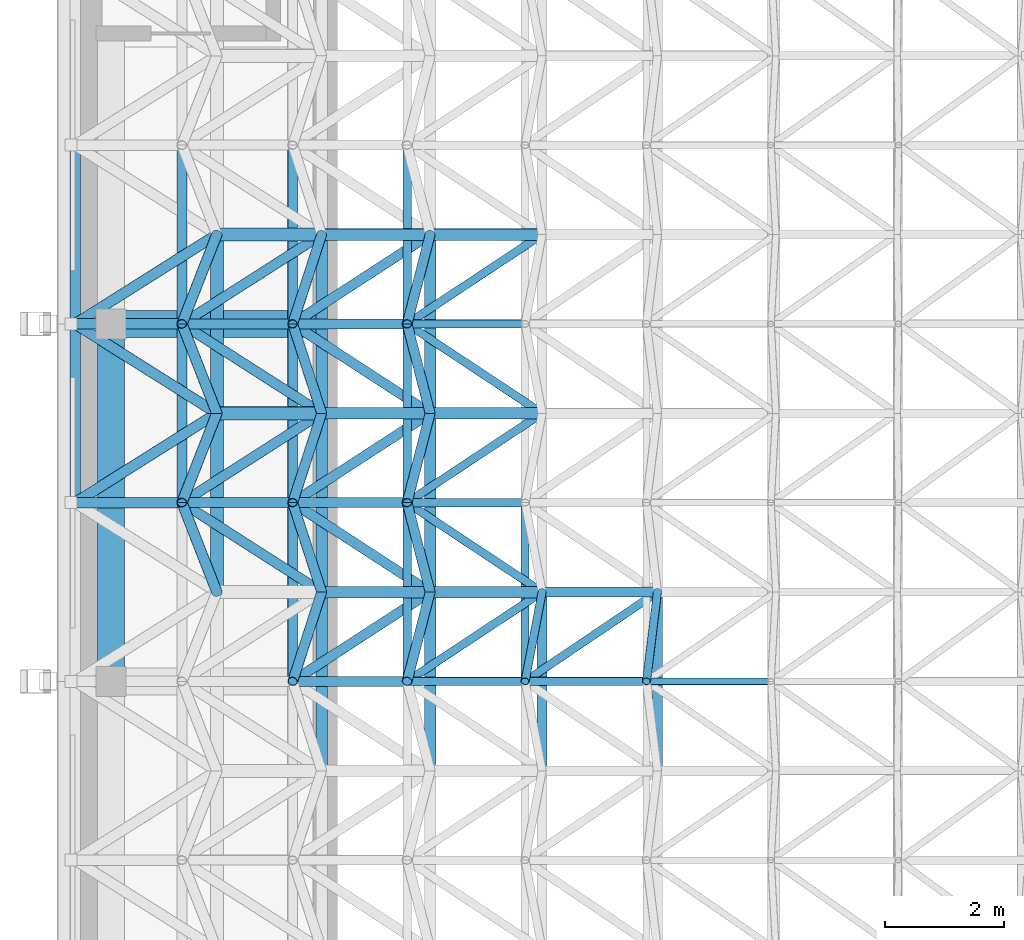
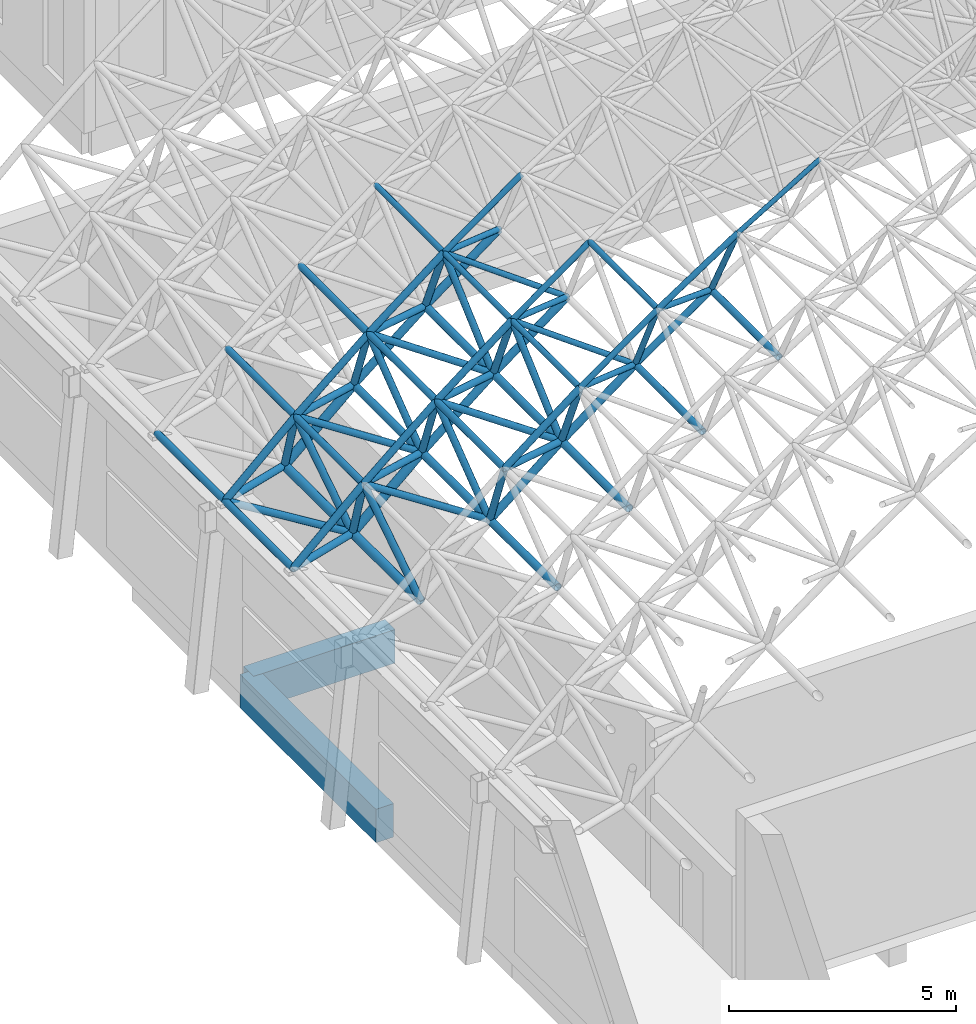
# One storey, part 18 of 141: 76 members, 2 beams.
"""IFC4 building model written with IfcOpenShell, lengths in metres."""

from ifc_helpers import new_model, si_unit, direction, frame, origin, origin_2d, place, context, subcontext, project, spatial, rectangle, hollow_circle, extrude, material, material_profile, profile_set, type_object, element, save


model = new_model("IFC4")

# Units and contexts
model_context = context("Model", 3, precision=1e-05, world=origin(), true_north=direction((0.0, 1.0)))
body_context = subcontext(model_context, "Body", "Model", "MODEL_VIEW")
ifc_project = project(units=[si_unit("LENGTHUNIT", "METRE"), si_unit("AREAUNIT", "SQUARE_METRE"), si_unit("VOLUMEUNIT", "CUBIC_METRE"), si_unit("PLANEANGLEUNIT", "RADIAN"), si_unit("MASSUNIT", "GRAM", prefix="KILO")], contexts=[model_context])

# Site, building, storey
site_placement = place(None, origin())
site = spatial("IfcSite", under=ifc_project, at=site_placement, CompositionType="ELEMENT")
building_placement = place(site_placement, origin())
building = spatial("IfcBuilding", under=site, at=building_placement, Name="Lantern Court Media Centre", CompositionType="ELEMENT")
storey_placement = place(building_placement, frame((0.0, 0.0, 9.60009765625)))
storey = spatial("IfcBuildingStorey", under=building, at=storey_placement, Name="L02", CompositionType="ELEMENT", Elevation=9.60009765625)

# Members
ifc_material_1 = material(Name="Steel S355J2 (EN 10025-2)", Category="steel")
ifc_material_profile_1 = material_profile(ifc_material_1, hollow_circle(Radius=0.084228515625, WallThickness=0.00634765625, at=origin_2d()), Name="Cinema Hall bottom CHS 168.3x6.3")
ifc_profile_set_1 = profile_set([ifc_material_profile_1], Name="Steel S355J2 (EN 10025-2)")
member_type_1 = type_object("IfcMemberType", Name="Cinema Hall bottom CHS 168.3x6.3", PredefinedType="CHORD", material=ifc_profile_set_1)
member_1_placement = place(storey_placement, frame((9.772705078125, 20.5, 9.7939453125), z_axis=(0.0, 1.0, 0.0), x_axis=(-1.0, 0.0, 0.0)))
element("IfcMember", 1, at=member_1_placement, inside=storey, type_object=member_type_1, Name="Cinema Hall bottom chord 05-08", PredefinedType="CHORD", context=body_context, shape_type="SweptSolid", body=[
    extrude(hollow_circle(Radius=0.084228515625, WallThickness=0.00634765625, at=origin_2d()), origin(), (0.0, 0.0, 1.0), 3.0),
])
ifc_material_profile_2 = material_profile(ifc_material_1, hollow_circle(Radius=0.084228515625, WallThickness=0.008056640625, at=origin_2d()), Name="Cinema Hall bottom CHS 168.3x8")
ifc_profile_set_2 = profile_set([ifc_material_profile_2], Name="Steel S355J2 (EN 10025-2)")
member_type_2 = type_object("IfcMemberType", Name="Cinema Hall bottom CHS 168.3x8", PredefinedType="CHORD", material=ifc_profile_set_2)
member_2_placement = place(storey_placement, frame((7.837646484375, 20.5, 8.463623046875), z_axis=(0.0, 1.0, 0.0), x_axis=(-1.0, 0.0, 0.0)))
element("IfcMember", 2, at=member_2_placement, inside=storey, type_object=member_type_2, Name="Cinema Hall bottom chord 04-08", PredefinedType="CHORD", context=body_context, shape_type="SweptSolid", body=[
    extrude(hollow_circle(Radius=0.084228515625, WallThickness=0.008056640625, at=origin_2d()), origin(), (0.0, 0.0, 1.0), 3.0),
])
member_3_placement = place(storey_placement, frame((7.837646484375, 23.5, 8.463623046875), z_axis=(0.824047991233, 0.0, 0.56651999801), x_axis=(0.0, 1.0, 0.0)))
element("IfcMember", 3, at=member_3_placement, inside=storey, type_object=member_type_2, Name="Cinema Hall bottom chord 04-09 across", PredefinedType="CHORD", context=body_context, shape_type="SweptSolid", body=[
    extrude(hollow_circle(Radius=0.084228515625, WallThickness=0.008056640625, at=origin_2d()), origin(), (0.0, 0.0, 1.0), 2.34814453125),
])
ifc_material_profile_3 = material_profile(ifc_material_1, hollow_circle(Radius=0.096923828125, WallThickness=0.010009765625, at=origin_2d()), Name="Cinema Hall bottom CHS 193.7x10")
ifc_profile_set_3 = profile_set([ifc_material_profile_3], Name="Steel S355J2 (EN 10025-2)")
member_type_3 = type_object("IfcMemberType", Name="Cinema Hall bottom CHS 193.7x10", PredefinedType="CHORD", material=ifc_profile_set_3)
for number, where, z_axis, x_axis, name in (
    (4, (4.1376953125, 20.5, 5.57275390625), (0.0, 1.0, 0.0), (-1.0, 0.0, 0.0), "Cinema Hall bottom chord 02-08"),
    (5, (4.1376953125, 23.5, 5.57275390625), (0.0, 1.0, 0.0), (-1.0, 0.0, 0.0), "Cinema Hall bottom chord 02-09"),
    (6, (4.1376953125, 26.5, 5.57275390625), (0.0, 1.0, 0.0), (-1.0, 0.0, 0.0), "Cinema Hall bottom chord 02-10"),
):
    element("IfcMember", number, at=place(storey_placement, frame(where, z_axis=z_axis, x_axis=x_axis)), inside=storey, type_object=member_type_3, Name=name, PredefinedType="CHORD", context=body_context, shape_type="SweptSolid", body=[
        extrude(hollow_circle(Radius=0.096923828125, WallThickness=0.010009765625, at=origin_2d()), origin(), (0.0, 0.0, 1.0), 3.0),
    ])
for number, where, z_axis, x_axis, name in (
    (7, (4.1376953125, 23.5, 5.57275390625), (0.775340578175, 0.0, 0.63154333805), (0.0, 1.0, 0.0), "Cinema Hall bottom chord 02-09 across"),
    (8, (4.1376953125, 26.5, 5.57275390625), (0.775340578175, 0.0, 0.63154333805), (0.0, 1.0, 0.0), "Cinema Hall bottom chord 02-10 across"),
    (9, (4.1376953125, 29.5, 5.57275390625), (0.775340578175, 0.0, 0.63154333805), (0.0, 1.0, 0.0), "Cinema Hall bottom chord 02-11 across"),
):
    element("IfcMember", number, at=place(storey_placement, frame(where, z_axis=z_axis, x_axis=x_axis)), inside=storey, type_object=member_type_3, Name=name, PredefinedType="CHORD", context=body_context, shape_type="SweptSolid", body=[
        extrude(hollow_circle(Radius=0.096923828125, WallThickness=0.010009765625, at=origin_2d()), origin(), (0.0, 0.0, 1.0), 2.34814453125),
    ])
ifc_material_profile_4 = material_profile(ifc_material_1, hollow_circle(Radius=0.096923828125, WallThickness=0.008056640625, at=origin_2d()), Name="Cinema Hall bottom CHS 193.7x8")
ifc_profile_set_4 = profile_set([ifc_material_profile_4], Name="Steel S355J2 (EN 10025-2)")
member_type_4 = type_object("IfcMemberType", Name="Cinema Hall bottom CHS 193.7x8", PredefinedType="CHORD", material=ifc_profile_set_4)
for number, where, z_axis, x_axis, name in (
    (10, (5.958251953125, 20.5, 7.0556640625), (0.0, 1.0, 0.0), (-1.0, 0.0, 0.0), "Cinema Hall bottom chord 03-08"),
    (11, (5.958251953125, 23.5, 7.0556640625), (0.0, 1.0, 0.0), (-1.0, 0.0, 0.0), "Cinema Hall bottom chord 03-09"),
    (12, (5.958251953125, 26.5, 7.0556640625), (0.0, 1.0, 0.0), (-1.0, 0.0, 0.0), "Cinema Hall bottom chord 03-10"),
):
    element("IfcMember", number, at=place(storey_placement, frame(where, z_axis=z_axis, x_axis=x_axis)), inside=storey, type_object=member_type_4, Name=name, PredefinedType="CHORD", context=body_context, shape_type="SweptSolid", body=[
        extrude(hollow_circle(Radius=0.096923828125, WallThickness=0.008056640625, at=origin_2d()), origin(), (0.0, 0.0, 1.0), 3.0),
    ])
for number, where, z_axis, x_axis, name in (
    (13, (5.958251953125, 23.5, 7.0556640625), (0.800324254575, 0.0, 0.599567417009), (0.0, 1.0, 0.0), "Cinema Hall bottom chord 03-09 across"),
    (14, (5.958251953125, 26.5, 7.0556640625), (0.800324254575, 0.0, 0.599567417009), (0.0, 1.0, 0.0), "Cinema Hall bottom chord 03-10 across"),
    (15, (5.958251953125, 29.5, 7.0556640625), (0.800324254575, 0.0, 0.599567417009), (0.0, 1.0, 0.0), "Cinema Hall bottom chord 03-11 across"),
):
    element("IfcMember", number, at=place(storey_placement, frame(where, z_axis=z_axis, x_axis=x_axis)), inside=storey, type_object=member_type_4, Name=name, PredefinedType="CHORD", context=body_context, shape_type="SweptSolid", body=[
        extrude(hollow_circle(Radius=0.096923828125, WallThickness=0.008056640625, at=origin_2d()), origin(), (0.0, 0.0, 1.0), 2.348388671875),
    ])
ifc_material_profile_5 = material_profile(ifc_material_1, hollow_circle(Radius=0.109619140625, WallThickness=0.010009765625, at=origin_2d()), Name="Cinema Hall bottom CHS 219.1x10")
ifc_profile_set_5 = profile_set([ifc_material_profile_5], Name="Steel S355J2 (EN 10025-2)")
member_type_5 = type_object("IfcMemberType", Name="Cinema Hall bottom CHS 219.1x10", PredefinedType="CHORD", material=ifc_profile_set_5)
for number, where, z_axis, x_axis, name in (
    (16, (2.378662109375, 23.5, 4.016845703125), (0.0, 1.0, 0.0), (-1.0, 0.0, 0.0), "Cinema Hall bottom chord 01-09"),
    (17, (2.378662109375, 26.5, 4.016845703125), (0.0, 1.0, 0.0), (-1.0, 0.0, 0.0), "Cinema Hall bottom chord 01-10"),
):
    element("IfcMember", number, at=place(storey_placement, frame(where, z_axis=z_axis, x_axis=x_axis)), inside=storey, type_object=member_type_5, Name=name, PredefinedType="CHORD", context=body_context, shape_type="SweptSolid", body=[
        extrude(hollow_circle(Radius=0.109619140625, WallThickness=0.010009765625, at=origin_2d()), origin(), (0.0, 0.0, 1.0), 3.0),
    ])
for number, where, z_axis, x_axis, name in (
    (18, (2.378662109375, 26.5, 4.016845703125), (0.749030294531, 0.0, 0.662535748375), (0.0, 1.0, 0.0), "Cinema Hall bottom chord 01-10 across"),
    (19, (2.378662109375, 29.5, 4.016845703125), (0.749030294531, 0.0, 0.662535748375), (0.0, 1.0, 0.0), "Cinema Hall bottom chord 01-11 across"),
):
    element("IfcMember", number, at=place(storey_placement, frame(where, z_axis=z_axis, x_axis=x_axis)), inside=storey, type_object=member_type_5, Name=name, PredefinedType="CHORD", context=body_context, shape_type="SweptSolid", body=[
        extrude(hollow_circle(Radius=0.109619140625, WallThickness=0.010009765625, at=origin_2d()), origin(), (0.0, 0.0, 1.0), 2.348388671875),
    ])
ifc_material_profile_6 = material_profile(ifc_material_1, hollow_circle(Radius=0.06982421875, WallThickness=0.00634765625, at=origin_2d()), Name="Cinema Hall diagonal CHS 139.7x6.3")
ifc_profile_set_6 = profile_set([ifc_material_profile_6], Name="Steel S355J2 (EN 10025-2)")
member_type_6 = type_object("IfcMemberType", Name="Cinema Hall diagonal CHS 139.7x6.3", PredefinedType="BRACE", material=ifc_profile_set_6)
member_4_placement = place(storey_placement, frame((9.772705078125, 23.5, 9.7939453125), z_axis=(-0.760744068819, -0.513853513503, 0.396513591718), x_axis=(0.559735691147, -0.828671199003, 0.0)))
element("IfcMember", 20, at=member_4_placement, inside=storey, type_object=member_type_6, Name="Cinema Hall diagonal 05-09-1", PredefinedType="BRACE", context=body_context, shape_type="SweptSolid", body=[
    extrude(hollow_circle(Radius=0.06982421875, WallThickness=0.00634765625, at=origin_2d()), origin(), (0.0, 0.0, 1.0), 2.919189453125),
])
member_5_placement = place(storey_placement, frame((9.772705078125, 23.5, 9.7939453125), z_axis=(-0.063147046974, -0.513874776966, 0.855537938409), x_axis=(0.992534194664, -0.121966685705, 0.0)))
element("IfcMember", 21, at=member_5_placement, inside=storey, type_object=member_type_6, Name="Cinema Hall diagonal 05-09-2", PredefinedType="BRACE", context=body_context, shape_type="SweptSolid", body=[
    extrude(hollow_circle(Radius=0.06982421875, WallThickness=0.00634765625, at=origin_2d()), origin(), (0.0, 0.0, 1.0), 2.9189453125),
])
ifc_material_profile_7 = material_profile(ifc_material_1, hollow_circle(Radius=0.06982421875, WallThickness=0.008056640625, at=origin_2d()), Name="Cinema Hall diagonal CHS 139.7x8")
ifc_profile_set_7 = profile_set([ifc_material_profile_7], Name="Steel S355J2 (EN 10025-2)")
member_type_7 = type_object("IfcMemberType", Name="Cinema Hall diagonal CHS 139.7x8", PredefinedType="BRACE", material=ifc_profile_set_7)
member_6_placement = place(storey_placement, frame((7.837646484375, 23.5, 8.463623046875), z_axis=(-0.776210877705, -0.513849761084, 0.365315064521), x_axis=(0.552001963744, -0.833842810141, 0.0)))
element("IfcMember", 22, at=member_6_placement, inside=storey, type_object=member_type_7, Name="Cinema Hall diagonal 04-09-1", PredefinedType="BRACE", context=body_context, shape_type="SweptSolid", body=[
    extrude(hollow_circle(Radius=0.06982421875, WallThickness=0.008056640625, at=origin_2d()), origin(), (0.0, 0.0, 1.0), 2.919189453125),
])
member_7_placement = place(storey_placement, frame((7.837646484375, 23.5, 8.463623046875), z_axis=(-0.09785614588, -0.51387022247, 0.852268484207), x_axis=(0.982346962135, -0.187068025016, 0.0)))
element("IfcMember", 23, at=member_7_placement, inside=storey, type_object=member_type_7, Name="Cinema Hall diagonal 04-09-2", PredefinedType="BRACE", context=body_context, shape_type="SweptSolid", body=[
    extrude(hollow_circle(Radius=0.06982421875, WallThickness=0.008056640625, at=origin_2d()), origin(), (0.0, 0.0, 1.0), 2.9189453125),
])
for number, where, z_axis, x_axis, name in (
    (24, (7.837646484375, 23.5, 8.463623046875), (-0.776210877705, 0.513849761084, 0.365315064521), (-0.552001963744, -0.833842810141, 0.0), "Cinema Hall diagonal 04-09-4"),
    (25, (7.837646484375, 26.5, 8.463623046875), (-0.776210877705, -0.513849761084, 0.365315064521), (0.552001963744, -0.833842810141, 0.0), "Cinema Hall diagonal 04-10-1"),
    (26, (7.837646484375, 26.5, 8.463623046875), (-0.776210877705, 0.513849761084, 0.365315064521), (-0.552001963744, -0.833842810141, 0.0), "Cinema Hall diagonal 04-10-4"),
    (27, (7.837646484375, 29.5, 8.463623046875), (-0.776210877705, -0.513849761084, 0.365315064521), (0.552001963744, -0.833842810141, 0.0), "Cinema Hall diagonal 04-11-1"),
):
    element("IfcMember", number, at=place(storey_placement, frame(where, z_axis=z_axis, x_axis=x_axis)), inside=storey, type_object=member_type_7, Name=name, PredefinedType="BRACE", context=body_context, shape_type="SweptSolid", body=[
        extrude(hollow_circle(Radius=0.06982421875, WallThickness=0.008056640625, at=origin_2d()), origin(), (0.0, 0.0, 1.0), 2.919189453125),
    ])
ifc_material_profile_8 = material_profile(ifc_material_1, hollow_circle(Radius=0.084228515625, WallThickness=0.010009765625, at=origin_2d()), Name="Cinema Hall diagonal CHS 168.3x10")
ifc_profile_set_8 = profile_set([ifc_material_profile_8], Name="Steel S355J2 (EN 10025-2)")
member_type_8 = type_object("IfcMemberType", Name="Cinema Hall diagonal CHS 168.3x10", PredefinedType="BRACE", material=ifc_profile_set_8)
for number, where, z_axis, x_axis, name in (
    (28, (4.1376953125, 23.5, 5.57275390625), (-0.166695380465, -0.513886812634, 0.841506383774), (0.951206854862, -0.308553916299, 0.0), "Cinema Hall diagonal 02-09-2"),
    (29, (4.1376953125, 23.5, 5.57275390625), (-0.166695380465, 0.513886812634, 0.841506383774), (-0.951206854862, -0.308553916299, 0.0), "Cinema Hall diagonal 02-09-3"),
):
    element("IfcMember", number, at=place(storey_placement, frame(where, z_axis=z_axis, x_axis=x_axis)), inside=storey, type_object=member_type_8, Name=name, PredefinedType="BRACE", context=body_context, shape_type="SweptSolid", body=[
        extrude(hollow_circle(Radius=0.084228515625, WallThickness=0.010009765625, at=origin_2d()), origin(), (0.0, 0.0, 1.0), 2.9189453125),
    ])
for number, where, z_axis, x_axis, name in (
    (30, (4.1376953125, 23.5, 5.57275390625), (-0.803309435106, 0.513850408047, 0.301084223465), (-0.538854579896, -0.842398802068, 0.0), "Cinema Hall diagonal 02-09-4"),
    (31, (4.1376953125, 26.5, 5.57275390625), (-0.803309435106, -0.513850408047, 0.301084223465), (0.538854579896, -0.842398802068, 0.0), "Cinema Hall diagonal 02-10-1"),
):
    element("IfcMember", number, at=place(storey_placement, frame(where, z_axis=z_axis, x_axis=x_axis)), inside=storey, type_object=member_type_8, Name=name, PredefinedType="BRACE", context=body_context, shape_type="SweptSolid", body=[
        extrude(hollow_circle(Radius=0.084228515625, WallThickness=0.010009765625, at=origin_2d()), origin(), (0.0, 0.0, 1.0), 2.919189453125),
    ])
for number, where, z_axis, x_axis, name in (
    (32, (4.1376953125, 26.5, 5.57275390625), (-0.166695380465, -0.513886812634, 0.841506383774), (0.951206854862, -0.308553916299, 0.0), "Cinema Hall diagonal 02-10-2"),
    (33, (4.1376953125, 26.5, 5.57275390625), (-0.166695380465, 0.513886812634, 0.841506383774), (-0.951206854862, -0.308553916299, 0.0), "Cinema Hall diagonal 02-10-3"),
):
    element("IfcMember", number, at=place(storey_placement, frame(where, z_axis=z_axis, x_axis=x_axis)), inside=storey, type_object=member_type_8, Name=name, PredefinedType="BRACE", context=body_context, shape_type="SweptSolid", body=[
        extrude(hollow_circle(Radius=0.084228515625, WallThickness=0.010009765625, at=origin_2d()), origin(), (0.0, 0.0, 1.0), 2.9189453125),
    ])
for number, where, z_axis, x_axis, name in (
    (34, (4.1376953125, 26.5, 5.57275390625), (-0.803309435106, 0.513850408047, 0.301084223465), (-0.538854579896, -0.842398802068, 0.0), "Cinema Hall diagonal 02-10-4"),
    (35, (4.1376953125, 29.5, 5.57275390625), (-0.803309435106, -0.513850408047, 0.301084223465), (0.538854579896, -0.842398802068, 0.0), "Cinema Hall diagonal 02-11-1"),
):
    element("IfcMember", number, at=place(storey_placement, frame(where, z_axis=z_axis, x_axis=x_axis)), inside=storey, type_object=member_type_8, Name=name, PredefinedType="BRACE", context=body_context, shape_type="SweptSolid", body=[
        extrude(hollow_circle(Radius=0.084228515625, WallThickness=0.010009765625, at=origin_2d()), origin(), (0.0, 0.0, 1.0), 2.919189453125),
    ])
member_8_placement = place(storey_placement, frame((4.1376953125, 29.5, 5.57275390625), z_axis=(-0.166695380465, -0.513886812634, 0.841506383774), x_axis=(0.951206854862, -0.308553916299, 0.0)))
element("IfcMember", 36, at=member_8_placement, inside=storey, type_object=member_type_8, Name="Cinema Hall diagonal 02-11-2", PredefinedType="BRACE", context=body_context, shape_type="SweptSolid", body=[
    extrude(hollow_circle(Radius=0.084228515625, WallThickness=0.010009765625, at=origin_2d()), origin(), (0.0, 0.0, 1.0), 2.9189453125),
])
ifc_material_profile_9 = material_profile(ifc_material_1, hollow_circle(Radius=0.084228515625, WallThickness=0.008056640625, at=origin_2d()), Name="Cinema Hall diagonal CHS 168.3x8")
ifc_profile_set_9 = profile_set([ifc_material_profile_9], Name="Steel S355J2 (EN 10025-2)")
member_type_9 = type_object("IfcMemberType", Name="Cinema Hall diagonal CHS 168.3x8", PredefinedType="BRACE", material=ifc_profile_set_9)
member_9_placement = place(storey_placement, frame((5.958251953125, 23.5, 7.0556640625), z_axis=(-0.790394065187, -0.513881601747, 0.333471019884), x_axis=(0.545081898441, -0.838382802777, 0.0)))
element("IfcMember", 37, at=member_9_placement, inside=storey, type_object=member_type_9, Name="Cinema Hall diagonal 03-09-1", PredefinedType="BRACE", context=body_context, shape_type="SweptSolid", body=[
    extrude(hollow_circle(Radius=0.084228515625, WallThickness=0.008056640625, at=origin_2d()), origin(), (0.0, 0.0, 1.0), 2.9189453125),
])
for number, where, z_axis, x_axis, name in (
    (38, (5.958251953125, 23.5, 7.0556640625), (-0.132389678542, -0.513835871739, 0.847611744804), (0.968374432366, -0.249501420318, 0.0), "Cinema Hall diagonal 03-09-2"),
    (39, (5.958251953125, 23.5, 7.0556640625), (-0.132389678542, 0.513835871739, 0.847611744804), (-0.968374432366, -0.249501420318, 0.0), "Cinema Hall diagonal 03-09-3"),
):
    element("IfcMember", number, at=place(storey_placement, frame(where, z_axis=z_axis, x_axis=x_axis)), inside=storey, type_object=member_type_9, Name=name, PredefinedType="BRACE", context=body_context, shape_type="SweptSolid", body=[
        extrude(hollow_circle(Radius=0.084228515625, WallThickness=0.008056640625, at=origin_2d()), origin(), (0.0, 0.0, 1.0), 2.919189453125),
    ])
for number, where, z_axis, x_axis, name in (
    (40, (5.958251953125, 23.5, 7.0556640625), (-0.790394065187, 0.513881601747, 0.333471019884), (-0.545081898441, -0.838382802777, 0.0), "Cinema Hall diagonal 03-09-4"),
    (41, (5.958251953125, 26.5, 7.0556640625), (-0.790394065187, -0.513881601747, 0.333471019884), (0.545081898441, -0.838382802777, 0.0), "Cinema Hall diagonal 03-10-1"),
):
    element("IfcMember", number, at=place(storey_placement, frame(where, z_axis=z_axis, x_axis=x_axis)), inside=storey, type_object=member_type_9, Name=name, PredefinedType="BRACE", context=body_context, shape_type="SweptSolid", body=[
        extrude(hollow_circle(Radius=0.084228515625, WallThickness=0.008056640625, at=origin_2d()), origin(), (0.0, 0.0, 1.0), 2.9189453125),
    ])
for number, where, z_axis, x_axis, name in (
    (42, (5.958251953125, 26.5, 7.0556640625), (-0.132389678542, -0.513835871739, 0.847611744804), (0.968374432366, -0.249501420318, 0.0), "Cinema Hall diagonal 03-10-2"),
    (43, (5.958251953125, 26.5, 7.0556640625), (-0.132389678542, 0.513835871739, 0.847611744804), (-0.968374432366, -0.249501420318, 0.0), "Cinema Hall diagonal 03-10-3"),
):
    element("IfcMember", number, at=place(storey_placement, frame(where, z_axis=z_axis, x_axis=x_axis)), inside=storey, type_object=member_type_9, Name=name, PredefinedType="BRACE", context=body_context, shape_type="SweptSolid", body=[
        extrude(hollow_circle(Radius=0.084228515625, WallThickness=0.008056640625, at=origin_2d()), origin(), (0.0, 0.0, 1.0), 2.919189453125),
    ])
for number, where, z_axis, x_axis, name in (
    (44, (5.958251953125, 26.5, 7.0556640625), (-0.790394065187, 0.513881601747, 0.333471019884), (-0.545081898441, -0.838382802777, 0.0), "Cinema Hall diagonal 03-10-4"),
    (45, (5.958251953125, 29.5, 7.0556640625), (-0.790394065187, -0.513881601747, 0.333471019884), (0.545081898441, -0.838382802777, 0.0), "Cinema Hall diagonal 03-11-1"),
):
    element("IfcMember", number, at=place(storey_placement, frame(where, z_axis=z_axis, x_axis=x_axis)), inside=storey, type_object=member_type_9, Name=name, PredefinedType="BRACE", context=body_context, shape_type="SweptSolid", body=[
        extrude(hollow_circle(Radius=0.084228515625, WallThickness=0.008056640625, at=origin_2d()), origin(), (0.0, 0.0, 1.0), 2.9189453125),
    ])
member_10_placement = place(storey_placement, frame((5.958251953125, 29.5, 7.0556640625), z_axis=(-0.132389678542, -0.513835871739, 0.847611744804), x_axis=(0.968374432366, -0.249501420318, 0.0)))
element("IfcMember", 46, at=member_10_placement, inside=storey, type_object=member_type_9, Name="Cinema Hall diagonal 03-11-2", PredefinedType="BRACE", context=body_context, shape_type="SweptSolid", body=[
    extrude(hollow_circle(Radius=0.084228515625, WallThickness=0.008056640625, at=origin_2d()), origin(), (0.0, 0.0, 1.0), 2.919189453125),
])
ifc_material_profile_10 = material_profile(ifc_material_1, hollow_circle(Radius=0.0888671875, WallThickness=0.010009765625, at=origin_2d()), Name="Cinema Hall diagonal CHS 177.8x10")
ifc_profile_set_10 = profile_set([ifc_material_profile_10], Name="Steel S355J2 (EN 10025-2)")
member_type_10 = type_object("IfcMemberType", Name="Cinema Hall diagonal CHS 177.8x10", PredefinedType="BRACE", material=ifc_profile_set_10)
for number, where, z_axis, x_axis, name in (
    (47, (2.378662109375, 23.5, 4.016845703125), (-0.200719513512, 0.513841954591, 0.834073211773), (-0.93145734948, -0.36385052714, 0.0), "Cinema Hall diagonal 01-09-3"),
    (48, (2.378662109375, 26.5, 4.016845703125), (-0.814865608485, -0.513859622142, 0.268220671909), (0.533404912089, -0.845860035561, 0.0), "Cinema Hall diagonal 01-10-1"),
    (49, (2.378662109375, 26.5, 4.016845703125), (-0.200719513512, -0.513841954591, 0.834073211773), (0.93145734948, -0.36385052714, 0.0), "Cinema Hall diagonal 01-10-2"),
    (50, (2.378662109375, 26.5, 4.016845703125), (-0.200719513512, 0.513841954591, 0.834073211773), (-0.93145734948, -0.36385052714, 0.0), "Cinema Hall diagonal 01-10-3"),
    (51, (2.378662109375, 26.5, 4.016845703125), (-0.814865608485, 0.513859622142, 0.268220671909), (-0.533404912089, -0.845860035561, 0.0), "Cinema Hall diagonal 01-10-4"),
    (52, (2.378662109375, 29.5, 4.016845703125), (-0.814865608485, -0.513859622142, 0.268220671909), (0.533404912089, -0.845860035561, 0.0), "Cinema Hall diagonal 01-11-1"),
    (53, (2.378662109375, 29.5, 4.016845703125), (-0.200719513512, -0.513841954591, 0.834073211773), (0.93145734948, -0.36385052714, 0.0), "Cinema Hall diagonal 01-11-2"),
):
    element("IfcMember", number, at=place(storey_placement, frame(where, z_axis=z_axis, x_axis=x_axis)), inside=storey, type_object=member_type_10, Name=name, PredefinedType="BRACE", context=body_context, shape_type="SweptSolid", body=[
        extrude(hollow_circle(Radius=0.0888671875, WallThickness=0.010009765625, at=origin_2d()), origin(), (0.0, 0.0, 1.0), 2.919189453125),
    ])
ifc_material_profile_11 = material_profile(ifc_material_1, hollow_circle(Radius=0.05712890625, WallThickness=0.00634765625, at=origin_2d()), Name="Cinema Hall top CHS 114.3x6.3")
ifc_profile_set_11 = profile_set([ifc_material_profile_11], Name="Steel S355J2 (EN 10025-2)")
member_type_11 = type_object("IfcMemberType", Name="Cinema Hall top CHS 114.3x6.3", PredefinedType="CHORD", material=ifc_profile_set_11)
member_11_placement = place(storey_placement, frame((9.58837890625, 22.0, 12.291259765625), z_axis=(0.857015353865, 0.0, 0.515290872459), x_axis=(0.0, 1.0, 0.0)))
element("IfcMember", 54, at=member_11_placement, inside=storey, type_object=member_type_11, Name="Cinema Hall top chord 06-09 across", PredefinedType="CHORD", context=body_context, shape_type="SweptSolid", body=[
    extrude(hollow_circle(Radius=0.05712890625, WallThickness=0.00634765625, at=origin_2d()), origin(), (0.0, 0.0, 1.0), 2.437744140625),
])
ifc_material_profile_12 = material_profile(ifc_material_1, hollow_circle(Radius=0.06982421875, WallThickness=0.00634765625, at=origin_2d()), Name="Cinema Hall top CHS 139.7x6.3")
ifc_profile_set_12 = profile_set([ifc_material_profile_12], Name="Steel S355J2 (EN 10025-2)")
member_type_12 = type_object("IfcMemberType", Name="Cinema Hall top CHS 139.7x6.3", PredefinedType="CHORD", material=ifc_profile_set_12)
member_12_placement = place(storey_placement, frame((7.552001953125, 22.0, 10.951416015625), z_axis=(0.0, 1.0, 0.0), x_axis=(-1.0, 0.0, 0.0)))
element("IfcMember", 55, at=member_12_placement, inside=storey, type_object=member_type_12, Name="Cinema Hall top chord 05-09", PredefinedType="CHORD", context=body_context, shape_type="SweptSolid", body=[
    extrude(hollow_circle(Radius=0.06982421875, WallThickness=0.00634765625, at=origin_2d()), origin(), (0.0, 0.0, 1.0), 3.0),
])
member_13_placement = place(storey_placement, frame((7.552001953125, 22.0, 10.951416015625), z_axis=(0.835394087943, 0.0, 0.549651451221), x_axis=(0.0, 1.0, 0.0)))
element("IfcMember", 56, at=member_13_placement, inside=storey, type_object=member_type_12, Name="Cinema Hall top chord 05-09 across", PredefinedType="CHORD", context=body_context, shape_type="SweptSolid", body=[
    extrude(hollow_circle(Radius=0.06982421875, WallThickness=0.00634765625, at=origin_2d()), origin(), (0.0, 0.0, 1.0), 2.437744140625),
])
ifc_material_profile_13 = material_profile(ifc_material_1, hollow_circle(Radius=0.06982421875, WallThickness=0.008056640625, at=origin_2d()), Name="Cinema Hall top CHS 139.7x8")
ifc_profile_set_13 = profile_set([ifc_material_profile_13], Name="Steel S355J2 (EN 10025-2)")
member_type_13 = type_object("IfcMemberType", Name="Cinema Hall top CHS 139.7x8", PredefinedType="CHORD", material=ifc_profile_set_13)
for number, where, z_axis, x_axis, name in (
    (57, (5.57177734375, 22.0, 9.530029296875), (0.0, 1.0, 0.0), (-1.0, 0.0, 0.0), "Cinema Hall top chord 04-09"),
    (58, (5.57177734375, 25.0, 9.530029296875), (0.0, 1.0, 0.0), (-1.0, 0.0, 0.0), "Cinema Hall top chord 04-10"),
    (59, (5.57177734375, 28.0, 9.530029296875), (0.0, 1.0, 0.0), (-1.0, 0.0, 0.0), "Cinema Hall top chord 04-11"),
):
    element("IfcMember", number, at=place(storey_placement, frame(where, z_axis=z_axis, x_axis=x_axis)), inside=storey, type_object=member_type_13, Name=name, PredefinedType="CHORD", context=body_context, shape_type="SweptSolid", body=[
        extrude(hollow_circle(Radius=0.06982421875, WallThickness=0.008056640625, at=origin_2d()), origin(), (0.0, 0.0, 1.0), 3.0),
    ])
for number, where, z_axis, x_axis, name in (
    (60, (5.57177734375, 22.0, 9.530029296875), (0.812384562891, 0.0, 0.583122047239), (0.0, 1.0, 0.0), "Cinema Hall top chord 04-09 across"),
    (61, (5.57177734375, 25.0, 9.530029296875), (0.812384562891, 0.0, 0.583122047239), (0.0, 1.0, 0.0), "Cinema Hall top chord 04-10 across"),
    (62, (5.57177734375, 28.0, 9.530029296875), (0.812384562891, 0.0, 0.583122047239), (0.0, 1.0, 0.0), "Cinema Hall top chord 04-11 across"),
):
    element("IfcMember", number, at=place(storey_placement, frame(where, z_axis=z_axis, x_axis=x_axis)), inside=storey, type_object=member_type_13, Name=name, PredefinedType="CHORD", context=body_context, shape_type="SweptSolid", body=[
        extrude(hollow_circle(Radius=0.06982421875, WallThickness=0.008056640625, at=origin_2d()), origin(), (0.0, 0.0, 1.0), 2.4375),
    ])
ifc_material_profile_14 = material_profile(ifc_material_1, hollow_circle(Radius=0.084228515625, WallThickness=0.010009765625, at=origin_2d()), Name="Cinema Hall top CHS 168.3x10")
ifc_profile_set_14 = profile_set([ifc_material_profile_14], Name="Steel S355J2 (EN 10025-2)")
member_type_14 = type_object("IfcMemberType", Name="Cinema Hall top CHS 168.3x10", PredefinedType="CHORD", material=ifc_profile_set_14)
for number, where, z_axis, x_axis, name in (
    (63, (1.792724609375, 25.0, 6.45166015625), (0.0, 1.0, 0.0), (-1.0, 0.0, 0.0), "Cinema Hall top chord 02-10"),
    (64, (1.792724609375, 28.0, 6.45166015625), (0.0, 1.0, 0.0), (-1.0, 0.0, 0.0), "Cinema Hall top chord 02-11"),
):
    element("IfcMember", number, at=place(storey_placement, frame(where, z_axis=z_axis, x_axis=x_axis)), inside=storey, type_object=member_type_14, Name=name, PredefinedType="CHORD", context=body_context, shape_type="SweptSolid", body=[
        extrude(hollow_circle(Radius=0.084228515625, WallThickness=0.010009765625, at=origin_2d()), origin(), (0.0, 0.0, 1.0), 3.0),
    ])
for number, where, z_axis, x_axis, name in (
    (65, (1.792724609375, 25.0, 6.45166015625), (0.762393833283, 0.0, 0.647113315403), (0.0, 1.0, 0.0), "Cinema Hall top chord 02-10 across"),
    (66, (1.792724609375, 28.0, 6.45166015625), (0.762393833283, 0.0, 0.647113315403), (0.0, 1.0, 0.0), "Cinema Hall top chord 02-11 across"),
):
    element("IfcMember", number, at=place(storey_placement, frame(where, z_axis=z_axis, x_axis=x_axis)), inside=storey, type_object=member_type_14, Name=name, PredefinedType="CHORD", context=body_context, shape_type="SweptSolid", body=[
        extrude(hollow_circle(Radius=0.084228515625, WallThickness=0.010009765625, at=origin_2d()), origin(), (0.0, 0.0, 1.0), 2.4375),
    ])
ifc_material_profile_15 = material_profile(ifc_material_1, hollow_circle(Radius=0.084228515625, WallThickness=0.008056640625, at=origin_2d()), Name="Cinema Hall top CHS 168.3x8")
ifc_profile_set_15 = profile_set([ifc_material_profile_15], Name="Steel S355J2 (EN 10025-2)")
member_type_15 = type_object("IfcMemberType", Name="Cinema Hall top CHS 168.3x8", PredefinedType="CHORD", material=ifc_profile_set_15)
for number, where, z_axis, x_axis, name in (
    (67, (3.651123046875, 22.0, 8.029052734375), (0.0, 1.0, 0.0), (-1.0, 0.0, 0.0), "Cinema Hall top chord 03-09"),
    (68, (3.651123046875, 25.0, 8.029052734375), (0.0, 1.0, 0.0), (-1.0, 0.0, 0.0), "Cinema Hall top chord 03-10"),
    (69, (3.651123046875, 28.0, 8.029052734375), (0.0, 1.0, 0.0), (-1.0, 0.0, 0.0), "Cinema Hall top chord 03-11"),
):
    element("IfcMember", number, at=place(storey_placement, frame(where, z_axis=z_axis, x_axis=x_axis)), inside=storey, type_object=member_type_15, Name=name, PredefinedType="CHORD", context=body_context, shape_type="SweptSolid", body=[
        extrude(hollow_circle(Radius=0.084228515625, WallThickness=0.008056640625, at=origin_2d()), origin(), (0.0, 0.0, 1.0), 3.0),
    ])
for number, where, z_axis, x_axis, name in (
    (70, (3.651123046875, 22.0, 8.029052734375), (0.787931739718, 0.0, 0.615762595117), (0.0, 1.0, 0.0), "Cinema Hall top chord 03-09 across"),
    (71, (3.651123046875, 25.0, 8.029052734375), (0.787931739718, 0.0, 0.615762595117), (0.0, 1.0, 0.0), "Cinema Hall top chord 03-10 across"),
    (72, (3.651123046875, 28.0, 8.029052734375), (0.787931739718, 0.0, 0.615762595117), (0.0, 1.0, 0.0), "Cinema Hall top chord 03-11 across"),
):
    element("IfcMember", number, at=place(storey_placement, frame(where, z_axis=z_axis, x_axis=x_axis)), inside=storey, type_object=member_type_15, Name=name, PredefinedType="CHORD", context=body_context, shape_type="SweptSolid", body=[
        extrude(hollow_circle(Radius=0.084228515625, WallThickness=0.008056640625, at=origin_2d()), origin(), (0.0, 0.0, 1.0), 2.4375),
    ])
ifc_material_profile_16 = material_profile(ifc_material_1, hollow_circle(Radius=0.0888671875, WallThickness=0.010009765625, at=origin_2d()), Name="Cinema Hall top CHS 177.8x10")
ifc_profile_set_16 = profile_set([ifc_material_profile_16], Name="Steel S355J2 (EN 10025-2)")
member_type_16 = type_object("IfcMemberType", Name="Cinema Hall top CHS 177.8x10", PredefinedType="CHORD", material=ifc_profile_set_16)
for number, where, z_axis, x_axis, name in (
    (73, (0.0, 25.0, 4.7998046875), (0.0, 1.0, 0.0), (-1.0, 0.0, 0.0), "Cinema Hall top chord 01-10"),
    (74, (0.0, 28.0, 4.7998046875), (0.0, 1.0, 0.0), (-1.0, 0.0, 0.0), "Cinema Hall top chord 01-11"),
):
    element("IfcMember", number, at=place(storey_placement, frame(where, z_axis=z_axis, x_axis=x_axis)), inside=storey, type_object=member_type_16, Name=name, PredefinedType="CHORD", context=body_context, shape_type="SweptSolid", body=[
        extrude(hollow_circle(Radius=0.0888671875, WallThickness=0.010009765625, at=origin_2d()), origin(), (0.0, 0.0, 1.0), 3.0),
    ])
for number, where, z_axis, x_axis, name in (
    (75, (0.0, 25.0, 4.7998046875), (0.735409817039, 0.0, 0.677622609572), (0.0, 1.0, 0.0), "Cinema Hall top chord 01-10 across"),
    (76, (0.0, 28.0, 4.7998046875), (0.735409817039, 0.0, 0.677622609572), (0.0, 1.0, 0.0), "Cinema Hall top chord 01-11 across"),
):
    element("IfcMember", number, at=place(storey_placement, frame(where, z_axis=z_axis, x_axis=x_axis)), inside=storey, type_object=member_type_16, Name=name, PredefinedType="CHORD", context=body_context, shape_type="SweptSolid", body=[
        extrude(hollow_circle(Radius=0.0888671875, WallThickness=0.010009765625, at=origin_2d()), origin(), (0.0, 0.0, 1.0), 2.437744140625),
    ])

# Beams
ifc_material_2 = material(Name="Concrete C35", Category="concrete")
ifc_material_profile_17 = material_profile(ifc_material_2, rectangle(XDim=0.449951171875, YDim=0.89990234375, at=origin_2d()), Name="RC 450x900")
ifc_profile_set_17 = profile_set([ifc_material_profile_17], Name="Concrete C35")
beam_type = type_object("IfcBeamType", Name="RC BEAM 450x900", PredefinedType="BEAM", material=ifc_profile_set_17)
beam_1_placement = place(storey_placement, frame((0.60009765625, 28.0, -0.4501953125), z_axis=(1.0, 0.0, 0.0), x_axis=(0.0, 1.0, 0.0)))
element("IfcBeam", 77, at=beam_1_placement, inside=storey, type_object=beam_type, Name="HB-V1-L02-FX5-0", PredefinedType="BEAM", context=body_context, shape_type="SweptSolid", body=[
    extrude(rectangle(XDim=0.449951171875, YDim=0.89990234375, at=origin_2d()), origin(), (0.0, 0.0, 1.0), 3.599853515625),
])
beam_2_placement = place(storey_placement, frame((0.60009765625, 22.0, -0.4501953125), z_axis=(0.0, 1.0, 0.0), x_axis=(-1.0, 0.0, 0.0)))
element("IfcBeam", 78, at=beam_2_placement, inside=storey, type_object=beam_type, Name="HB-V1-L02-FY0-4", PredefinedType="BEAM", context=body_context, shape_type="SweptSolid", body=[
    extrude(rectangle(XDim=0.449951171875, YDim=0.89990234375, at=origin_2d()), origin(), (0.0, 0.0, 1.0), 6.0),
])

save(model, "model.ifc")
